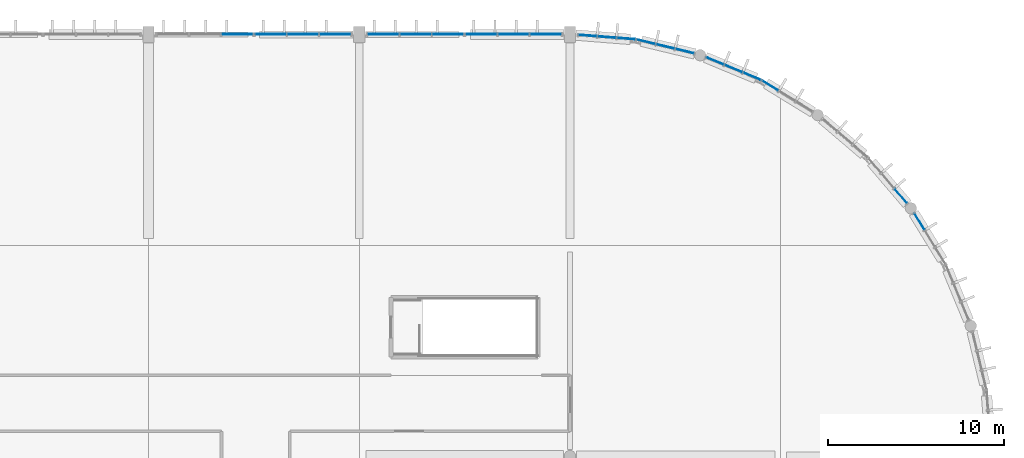
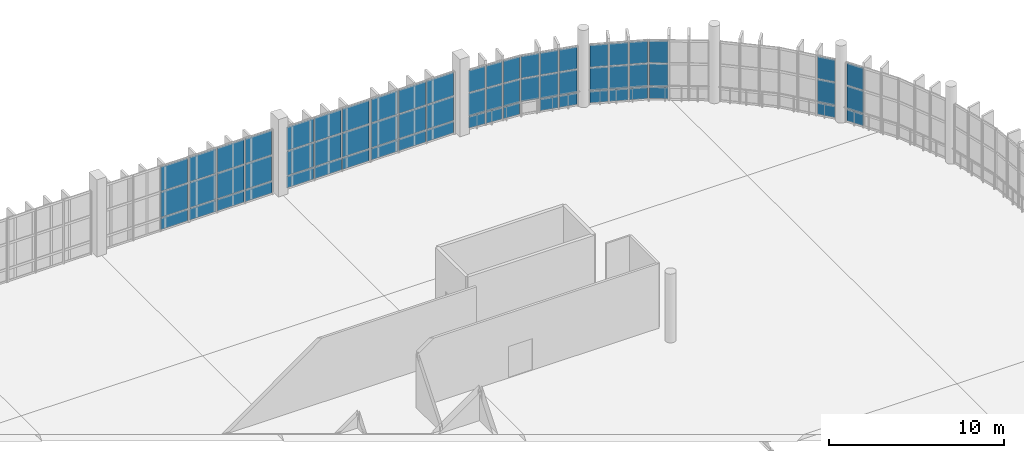
# One storey, part 74 of 112: 65 plates, 10 elements without a shape of their own.
"""IFC4 building model written with IfcOpenShell, lengths in metres."""

from ifc_helpers import new_model, si_unit, direction, frame, origin, origin_2d, place, context, subcontext, project, spatial, rectangle, extrude, material, layer, layer_set, type_object, element, aggregate, save


model = new_model("IFC4")

# Units and contexts
model_context = context("Model", 3, precision=1e-05, world=origin(), true_north=direction((0.0, 1.0)))
body_context = subcontext(model_context, "Body", "Model", "MODEL_VIEW")
ifc_project = project(units=[si_unit("LENGTHUNIT", "METRE"), si_unit("AREAUNIT", "SQUARE_METRE"), si_unit("VOLUMEUNIT", "CUBIC_METRE"), si_unit("PLANEANGLEUNIT", "RADIAN"), si_unit("MASSUNIT", "GRAM", prefix="KILO")], contexts=[model_context])

# Site, building, storey
site_placement = place(None, origin())
site = spatial("IfcSite", under=ifc_project, at=site_placement, CompositionType="ELEMENT")
building_placement = place(site_placement, origin())
building = spatial("IfcBuilding", under=site, at=building_placement, Name="Kamomehara Wholesale Market", CompositionType="ELEMENT")
storey_placement = place(building_placement, frame((0.0, 0.0, 6.60009765625)))
storey = spatial("IfcBuildingStorey", under=building, at=storey_placement, Name="L01", CompositionType="ELEMENT", Elevation=6.60009765625)

# Curtain wall, plates
ifc_material_1 = material(Name="Anodised aluminium 6063-T5", Category="aluminium")
curtain_wall_type_1 = type_object("IfcCurtainWallType", Name="CW-UN-02", PredefinedType="NOTDEFINED", material=ifc_material_1)
curtain_wall_1_placement = place(storey_placement, origin())
curtain_wall_1 = element("IfcCurtainWall", 1, at=curtain_wall_1_placement, inside=storey, type_object=curtain_wall_type_1, Name="Unitised curtain wall CW-089", PredefinedType="NOTDEFINED")
ifc_material_2 = material(Name="Solar-control Low-E double glazing", Category="glass")
ifc_layer_1 = layer(ifc_material_2, 0.028076171875)
ifc_layer_set_1 = layer_set([ifc_layer_1], Name="Solar-control Low-E double glazing")
plate_type_1 = type_object("IfcPlateType", Name="CW-PNL-GLZ", PredefinedType="CURTAIN_PANEL", material=ifc_layer_set_1)
plate_1_placement = place(storey_placement, frame((161.052001953125, 156.02001953125, 0.929443359375), z_axis=(0.0, 0.0, 1.0), x_axis=(1.0, 0.0, 0.0)))
plate_1 = element("IfcPlate", 2, at=plate_1_placement, type_object=plate_type_1, Name="Curtain panel CW-089.2.1", PredefinedType="CURTAIN_PANEL", context=body_context, shape_type="SweptSolid", body=[
    extrude(rectangle(XDim=1.757080078125, YDim=0.028076171875, at=origin_2d()), origin(), (0.0, 0.0, 1.0), 1.7548828125),
])
plate_2_placement = place(storey_placement, frame((161.052001953125, 156.02001953125, 2.7451171875), z_axis=(0.0, 0.0, 1.0), x_axis=(1.0, 0.0, 0.0)))
plate_2 = element("IfcPlate", 3, at=plate_2_placement, type_object=plate_type_1, Name="Curtain panel CW-089.2.2", PredefinedType="CURTAIN_PANEL", context=body_context, shape_type="SweptSolid", body=[
    extrude(rectangle(XDim=1.757080078125, YDim=0.028076171875, at=origin_2d()), origin(), (0.0, 0.0, 1.0), 1.715087890625),
])

curtain_wall_2_placement = place(storey_placement, origin())
curtain_wall_2 = element("IfcCurtainWall", 4, at=curtain_wall_2_placement, inside=storey, type_object=curtain_wall_type_1, Name="Unitised curtain wall CW-090", PredefinedType="NOTDEFINED")
plate_3_placement = place(storey_placement, frame((162.947998046875, 156.02001953125, 0.929443359375), z_axis=(0.0, 0.0, 1.0), x_axis=(1.0, 0.0, 0.0)))
plate_3 = element("IfcPlate", 5, at=plate_3_placement, type_object=plate_type_1, Name="Curtain panel CW-090.0.1", PredefinedType="CURTAIN_PANEL", context=body_context, shape_type="SweptSolid", body=[
    extrude(rectangle(XDim=1.757080078125, YDim=0.028076171875, at=origin_2d()), origin(), (0.0, 0.0, 1.0), 1.7548828125),
])
plate_4_placement = place(storey_placement, frame((162.947998046875, 156.02001953125, 2.7451171875), z_axis=(0.0, 0.0, 1.0), x_axis=(1.0, 0.0, 0.0)))
plate_4 = element("IfcPlate", 6, at=plate_4_placement, type_object=plate_type_1, Name="Curtain panel CW-090.0.2", PredefinedType="CURTAIN_PANEL", context=body_context, shape_type="SweptSolid", body=[
    extrude(rectangle(XDim=1.757080078125, YDim=0.028076171875, at=origin_2d()), origin(), (0.0, 0.0, 1.0), 1.715087890625),
])
plate_5_placement = place(storey_placement, frame((164.784912109375, 156.02001953125, 0.929443359375), z_axis=(0.0, 0.0, 1.0), x_axis=(1.0, 0.0, 0.0)))
plate_5 = element("IfcPlate", 7, at=plate_5_placement, type_object=plate_type_1, Name="Curtain panel CW-090.1.1", PredefinedType="CURTAIN_PANEL", context=body_context, shape_type="SweptSolid", body=[
    extrude(rectangle(XDim=1.757080078125, YDim=0.028076171875, at=origin_2d()), origin(), (0.0, 0.0, 1.0), 1.7548828125),
])
plate_6_placement = place(storey_placement, frame((164.784912109375, 156.02001953125, 2.7451171875), z_axis=(0.0, 0.0, 1.0), x_axis=(1.0, 0.0, 0.0)))
plate_6 = element("IfcPlate", 8, at=plate_6_placement, type_object=plate_type_1, Name="Curtain panel CW-090.1.2", PredefinedType="CURTAIN_PANEL", context=body_context, shape_type="SweptSolid", body=[
    extrude(rectangle(XDim=1.757080078125, YDim=0.028076171875, at=origin_2d()), origin(), (0.0, 0.0, 1.0), 1.715087890625),
])
plate_7_placement = place(storey_placement, frame((166.6220703125, 156.02001953125, 0.929443359375), z_axis=(0.0, 0.0, 1.0), x_axis=(1.0, 0.0, 0.0)))
plate_7 = element("IfcPlate", 9, at=plate_7_placement, type_object=plate_type_1, Name="Curtain panel CW-090.2.1", PredefinedType="CURTAIN_PANEL", context=body_context, shape_type="SweptSolid", body=[
    extrude(rectangle(XDim=1.757080078125, YDim=0.028076171875, at=origin_2d()), origin(), (0.0, 0.0, 1.0), 1.7548828125),
])
plate_8_placement = place(storey_placement, frame((166.6220703125, 156.02001953125, 2.7451171875), z_axis=(0.0, 0.0, 1.0), x_axis=(1.0, 0.0, 0.0)))
plate_8 = element("IfcPlate", 10, at=plate_8_placement, type_object=plate_type_1, Name="Curtain panel CW-090.2.2", PredefinedType="CURTAIN_PANEL", context=body_context, shape_type="SweptSolid", body=[
    extrude(rectangle(XDim=1.757080078125, YDim=0.028076171875, at=origin_2d()), origin(), (0.0, 0.0, 1.0), 1.715087890625),
])

curtain_wall_3_placement = place(storey_placement, origin())
curtain_wall_3 = element("IfcCurtainWall", 11, at=curtain_wall_3_placement, inside=storey, type_object=curtain_wall_type_1, Name="Unitised curtain wall CW-093", PredefinedType="NOTDEFINED")
plate_9_placement = place(storey_placement, frame((169.3779296875, 156.02001953125, 0.93017578125), z_axis=(0.0, 0.0, 1.0), x_axis=(1.0, 0.0, 0.0)))
plate_9 = element("IfcPlate", 12, at=plate_9_placement, type_object=plate_type_1, Name="Curtain panel CW-093.0.1", PredefinedType="CURTAIN_PANEL", context=body_context, shape_type="SweptSolid", body=[
    extrude(rectangle(XDim=1.757080078125, YDim=0.028076171875, at=origin_2d()), origin(), (0.0, 0.0, 1.0), 1.679931640625),
])
plate_10_placement = place(storey_placement, frame((169.3779296875, 156.02001953125, 2.669921875), z_axis=(0.0, 0.0, 1.0), x_axis=(1.0, 0.0, 0.0)))
plate_10 = element("IfcPlate", 13, at=plate_10_placement, type_object=plate_type_1, Name="Curtain panel CW-093.0.2", PredefinedType="CURTAIN_PANEL", context=body_context, shape_type="SweptSolid", body=[
    extrude(rectangle(XDim=1.757080078125, YDim=0.028076171875, at=origin_2d()), origin(), (0.0, 0.0, 1.0), 1.639892578125),
])
plate_11_placement = place(storey_placement, frame((171.215087890625, 156.02001953125, 0.93017578125), z_axis=(0.0, 0.0, 1.0), x_axis=(1.0, 0.0, 0.0)))
plate_11 = element("IfcPlate", 14, at=plate_11_placement, type_object=plate_type_1, Name="Curtain panel CW-093.1.1", PredefinedType="CURTAIN_PANEL", context=body_context, shape_type="SweptSolid", body=[
    extrude(rectangle(XDim=1.757080078125, YDim=0.028076171875, at=origin_2d()), origin(), (0.0, 0.0, 1.0), 1.679931640625),
])
plate_12_placement = place(storey_placement, frame((171.215087890625, 156.02001953125, 2.669921875), z_axis=(0.0, 0.0, 1.0), x_axis=(1.0, 0.0, 0.0)))
plate_12 = element("IfcPlate", 15, at=plate_12_placement, type_object=plate_type_1, Name="Curtain panel CW-093.1.2", PredefinedType="CURTAIN_PANEL", context=body_context, shape_type="SweptSolid", body=[
    extrude(rectangle(XDim=1.757080078125, YDim=0.028076171875, at=origin_2d()), origin(), (0.0, 0.0, 1.0), 1.639892578125),
])
plate_13_placement = place(storey_placement, frame((173.052001953125, 156.02001953125, 0.93017578125), z_axis=(0.0, 0.0, 1.0), x_axis=(1.0, 0.0, 0.0)))
plate_13 = element("IfcPlate", 16, at=plate_13_placement, type_object=plate_type_1, Name="Curtain panel CW-093.2.1", PredefinedType="CURTAIN_PANEL", context=body_context, shape_type="SweptSolid", body=[
    extrude(rectangle(XDim=1.757080078125, YDim=0.028076171875, at=origin_2d()), origin(), (0.0, 0.0, 1.0), 1.679931640625),
])
plate_14_placement = place(storey_placement, frame((173.052001953125, 156.02001953125, 2.669921875), z_axis=(0.0, 0.0, 1.0), x_axis=(1.0, 0.0, 0.0)))
plate_14 = element("IfcPlate", 17, at=plate_14_placement, type_object=plate_type_1, Name="Curtain panel CW-093.2.2", PredefinedType="CURTAIN_PANEL", context=body_context, shape_type="SweptSolid", body=[
    extrude(rectangle(XDim=1.757080078125, YDim=0.028076171875, at=origin_2d()), origin(), (0.0, 0.0, 1.0), 1.639892578125),
])

curtain_wall_4_placement = place(storey_placement, origin())
curtain_wall_4 = element("IfcCurtainWall", 18, at=curtain_wall_4_placement, inside=storey, type_object=curtain_wall_type_1, Name="Unitised curtain wall CW-094", PredefinedType="NOTDEFINED")
plate_15_placement = place(storey_placement, frame((174.947998046875, 156.02001953125, 0.93017578125), z_axis=(0.0, 0.0, 1.0), x_axis=(1.0, 0.0, 0.0)))
plate_15 = element("IfcPlate", 19, at=plate_15_placement, type_object=plate_type_1, Name="Curtain panel CW-094.0.1", PredefinedType="CURTAIN_PANEL", context=body_context, shape_type="SweptSolid", body=[
    extrude(rectangle(XDim=1.757080078125, YDim=0.028076171875, at=origin_2d()), origin(), (0.0, 0.0, 1.0), 1.679931640625),
])
plate_16_placement = place(storey_placement, frame((174.947998046875, 156.02001953125, 2.669921875), z_axis=(0.0, 0.0, 1.0), x_axis=(1.0, 0.0, 0.0)))
plate_16 = element("IfcPlate", 20, at=plate_16_placement, type_object=plate_type_1, Name="Curtain panel CW-094.0.2", PredefinedType="CURTAIN_PANEL", context=body_context, shape_type="SweptSolid", body=[
    extrude(rectangle(XDim=1.757080078125, YDim=0.028076171875, at=origin_2d()), origin(), (0.0, 0.0, 1.0), 1.639892578125),
])
plate_17_placement = place(storey_placement, frame((176.784912109375, 156.02001953125, 0.93017578125), z_axis=(0.0, 0.0, 1.0), x_axis=(1.0, 0.0, 0.0)))
plate_17 = element("IfcPlate", 21, at=plate_17_placement, type_object=plate_type_1, Name="Curtain panel CW-094.1.1", PredefinedType="CURTAIN_PANEL", context=body_context, shape_type="SweptSolid", body=[
    extrude(rectangle(XDim=1.757080078125, YDim=0.028076171875, at=origin_2d()), origin(), (0.0, 0.0, 1.0), 1.679931640625),
])
plate_18_placement = place(storey_placement, frame((176.784912109375, 156.02001953125, 2.669921875), z_axis=(0.0, 0.0, 1.0), x_axis=(1.0, 0.0, 0.0)))
plate_18 = element("IfcPlate", 22, at=plate_18_placement, type_object=plate_type_1, Name="Curtain panel CW-094.1.2", PredefinedType="CURTAIN_PANEL", context=body_context, shape_type="SweptSolid", body=[
    extrude(rectangle(XDim=1.757080078125, YDim=0.028076171875, at=origin_2d()), origin(), (0.0, 0.0, 1.0), 1.639892578125),
])
plate_19_placement = place(storey_placement, frame((178.6220703125, 156.02001953125, 0.93017578125), z_axis=(0.0, 0.0, 1.0), x_axis=(1.0, 0.0, 0.0)))
plate_19 = element("IfcPlate", 23, at=plate_19_placement, type_object=plate_type_1, Name="Curtain panel CW-094.2.1", PredefinedType="CURTAIN_PANEL", context=body_context, shape_type="SweptSolid", body=[
    extrude(rectangle(XDim=1.757080078125, YDim=0.028076171875, at=origin_2d()), origin(), (0.0, 0.0, 1.0), 1.679931640625),
])
plate_20_placement = place(storey_placement, frame((178.6220703125, 156.02001953125, 2.669921875), z_axis=(0.0, 0.0, 1.0), x_axis=(1.0, 0.0, 0.0)))
plate_20 = element("IfcPlate", 24, at=plate_20_placement, type_object=plate_type_1, Name="Curtain panel CW-094.2.2", PredefinedType="CURTAIN_PANEL", context=body_context, shape_type="SweptSolid", body=[
    extrude(rectangle(XDim=1.757080078125, YDim=0.028076171875, at=origin_2d()), origin(), (0.0, 0.0, 1.0), 1.639892578125),
])

ifc_material_3 = material(Name="Anodised aluminium 6063-T5", Category="aluminium")
curtain_wall_type_2 = type_object("IfcCurtainWallType", Name="CW-UN-05", PredefinedType="NOTDEFINED", material=ifc_material_3)
curtain_wall_5_placement = place(storey_placement, origin())
curtain_wall_5 = element("IfcCurtainWall", 25, at=curtain_wall_5_placement, inside=storey, type_object=curtain_wall_type_2, Name="Unitised curtain wall CW-097", PredefinedType="NOTDEFINED")
plate_21_placement = place(storey_placement, frame((181.008056640625, 155.94091796875, 0.929931640625), z_axis=(0.0, 0.0, 1.0), x_axis=(0.99692964576, -0.078302499352, 0.0)))
plate_21 = element("IfcPlate", 26, at=plate_21_placement, type_object=plate_type_1, Name="Curtain panel CW-097.0.1", PredefinedType="CURTAIN_PANEL", context=body_context, shape_type="SweptSolid", body=[
    extrude(rectangle(XDim=1.01806640625, YDim=0.028076171875, at=origin_2d()), origin(), (0.0, 0.0, 1.0), 1.580078125),
])
plate_22_placement = place(storey_placement, frame((181.008056640625, 155.94091796875, 2.56982421875), z_axis=(0.0, 0.0, 1.0), x_axis=(0.99692964576, -0.078302499352, 0.0)))
plate_22 = element("IfcPlate", 27, at=plate_22_placement, type_object=plate_type_1, Name="Curtain panel CW-097.0.2", PredefinedType="CURTAIN_PANEL", context=body_context, shape_type="SweptSolid", body=[
    extrude(rectangle(XDim=1.01806640625, YDim=0.028076171875, at=origin_2d()), origin(), (0.0, 0.0, 1.0), 1.5400390625),
])
plate_23_placement = place(storey_placement, frame((182.10302734375, 155.85498046875, 0.929931640625), z_axis=(0.0, 0.0, 1.0), x_axis=(0.99692964576, -0.078302499352, 0.0)))
plate_23 = element("IfcPlate", 28, at=plate_23_placement, type_object=plate_type_1, Name="Curtain panel CW-097.1.1", PredefinedType="CURTAIN_PANEL", context=body_context, shape_type="SweptSolid", body=[
    extrude(rectangle(XDim=1.01806640625, YDim=0.028076171875, at=origin_2d()), origin(), (0.0, 0.0, 1.0), 1.580078125),
])
plate_24_placement = place(storey_placement, frame((182.10302734375, 155.85498046875, 2.56982421875), z_axis=(0.0, 0.0, 1.0), x_axis=(0.99692964576, -0.078302499352, 0.0)))
plate_24 = element("IfcPlate", 29, at=plate_24_placement, type_object=plate_type_1, Name="Curtain panel CW-097.1.2", PredefinedType="CURTAIN_PANEL", context=body_context, shape_type="SweptSolid", body=[
    extrude(rectangle(XDim=1.01806640625, YDim=0.028076171875, at=origin_2d()), origin(), (0.0, 0.0, 1.0), 1.5400390625),
])
plate_25_placement = place(storey_placement, frame((183.197998046875, 155.76904296875, 0.929931640625), z_axis=(0.0, 0.0, 1.0), x_axis=(0.99692964576, -0.078302499352, 0.0)))
plate_25 = element("IfcPlate", 30, at=plate_25_placement, type_object=plate_type_1, Name="Curtain panel CW-097.2.1", PredefinedType="CURTAIN_PANEL", context=body_context, shape_type="SweptSolid", body=[
    extrude(rectangle(XDim=1.01806640625, YDim=0.028076171875, at=origin_2d()), origin(), (0.0, 0.0, 1.0), 1.580078125),
])
plate_26_placement = place(storey_placement, frame((183.197998046875, 155.76904296875, 2.56982421875), z_axis=(0.0, 0.0, 1.0), x_axis=(0.99692964576, -0.078302499352, 0.0)))
plate_26 = element("IfcPlate", 31, at=plate_26_placement, type_object=plate_type_1, Name="Curtain panel CW-097.2.2", PredefinedType="CURTAIN_PANEL", context=body_context, shape_type="SweptSolid", body=[
    extrude(rectangle(XDim=1.01806640625, YDim=0.028076171875, at=origin_2d()), origin(), (0.0, 0.0, 1.0), 1.5400390625),
])

curtain_wall_6_placement = place(storey_placement, origin())
curtain_wall_6 = element("IfcCurtainWall", 32, at=curtain_wall_6_placement, inside=storey, type_object=curtain_wall_type_2, Name="Unitised curtain wall CW-098", PredefinedType="NOTDEFINED")
plate_27_placement = place(storey_placement, frame((184.322998046875, 155.589111328125, 0.929931640625), z_axis=(0.0, 0.0, 1.0), x_axis=(0.972272049729, -0.233852648724, 0.0)))
plate_27 = element("IfcPlate", 33, at=plate_27_placement, type_object=plate_type_1, Name="Curtain panel CW-098.0.1", PredefinedType="CURTAIN_PANEL", context=body_context, shape_type="SweptSolid", body=[
    extrude(rectangle(XDim=1.06005859375, YDim=0.028076171875, at=origin_2d()), origin(), (0.0, 0.0, 1.0), 1.580078125),
])
plate_28_placement = place(storey_placement, frame((184.322998046875, 155.589111328125, 2.56982421875), z_axis=(0.0, 0.0, 1.0), x_axis=(0.972272049729, -0.233852648724, 0.0)))
plate_28 = element("IfcPlate", 34, at=plate_28_placement, type_object=plate_type_1, Name="Curtain panel CW-098.0.2", PredefinedType="CURTAIN_PANEL", context=body_context, shape_type="SweptSolid", body=[
    extrude(rectangle(XDim=1.06005859375, YDim=0.028076171875, at=origin_2d()), origin(), (0.0, 0.0, 1.0), 1.5400390625),
])
plate_29_placement = place(storey_placement, frame((185.431884765625, 155.322021484375, 0.929931640625), z_axis=(0.0, 0.0, 1.0), x_axis=(0.972272049729, -0.233852648724, 0.0)))
plate_29 = element("IfcPlate", 35, at=plate_29_placement, type_object=plate_type_1, Name="Curtain panel CW-098.1.1", PredefinedType="CURTAIN_PANEL", context=body_context, shape_type="SweptSolid", body=[
    extrude(rectangle(XDim=1.06005859375, YDim=0.028076171875, at=origin_2d()), origin(), (0.0, 0.0, 1.0), 1.580078125),
])
plate_30_placement = place(storey_placement, frame((185.431884765625, 155.322021484375, 2.56982421875), z_axis=(0.0, 0.0, 1.0), x_axis=(0.972272049729, -0.233852648724, 0.0)))
plate_30 = element("IfcPlate", 36, at=plate_30_placement, type_object=plate_type_1, Name="Curtain panel CW-098.1.2", PredefinedType="CURTAIN_PANEL", context=body_context, shape_type="SweptSolid", body=[
    extrude(rectangle(XDim=1.06005859375, YDim=0.028076171875, at=origin_2d()), origin(), (0.0, 0.0, 1.0), 1.5400390625),
])
plate_31_placement = place(storey_placement, frame((186.5400390625, 155.055908203125, 0.929931640625), z_axis=(0.0, 0.0, 1.0), x_axis=(0.972272049729, -0.233852648724, 0.0)))
plate_31 = element("IfcPlate", 37, at=plate_31_placement, type_object=plate_type_1, Name="Curtain panel CW-098.2.1", PredefinedType="CURTAIN_PANEL", context=body_context, shape_type="SweptSolid", body=[
    extrude(rectangle(XDim=1.06005859375, YDim=0.028076171875, at=origin_2d()), origin(), (0.0, 0.0, 1.0), 1.580078125),
])
plate_32_placement = place(storey_placement, frame((186.5400390625, 155.055908203125, 2.56982421875), z_axis=(0.0, 0.0, 1.0), x_axis=(0.972272049729, -0.233852648724, 0.0)))
plate_32 = element("IfcPlate", 38, at=plate_32_placement, type_object=plate_type_1, Name="Curtain panel CW-098.2.2", PredefinedType="CURTAIN_PANEL", context=body_context, shape_type="SweptSolid", body=[
    extrude(rectangle(XDim=1.06005859375, YDim=0.028076171875, at=origin_2d()), origin(), (0.0, 0.0, 1.0), 1.5400390625),
])

curtain_wall_7_placement = place(storey_placement, origin())
curtain_wall_7 = element("IfcCurtainWall", 39, at=curtain_wall_7_placement, inside=storey, type_object=curtain_wall_type_2, Name="Unitised curtain wall CW-099", PredefinedType="NOTDEFINED")
plate_33_placement = place(storey_placement, frame((188.260009765625, 154.4970703125, 0.929931640625), z_axis=(0.0, 0.0, 1.0), x_axis=(0.923912924423, -0.382602807209, 0.0)))
plate_33 = element("IfcPlate", 40, at=plate_33_placement, type_object=plate_type_1, Name="Curtain panel CW-099.0.1", PredefinedType="CURTAIN_PANEL", context=body_context, shape_type="SweptSolid", body=[
    extrude(rectangle(XDim=1.06005859375, YDim=0.028076171875, at=origin_2d()), origin(), (0.0, 0.0, 1.0), 1.580078125),
])
plate_34_placement = place(storey_placement, frame((188.260009765625, 154.4970703125, 2.56982421875), z_axis=(0.0, 0.0, 1.0), x_axis=(0.923912924423, -0.382602807209, 0.0)))
plate_34 = element("IfcPlate", 41, at=plate_34_placement, type_object=plate_type_1, Name="Curtain panel CW-099.0.2", PredefinedType="CURTAIN_PANEL", context=body_context, shape_type="SweptSolid", body=[
    extrude(rectangle(XDim=1.06005859375, YDim=0.028076171875, at=origin_2d()), origin(), (0.0, 0.0, 1.0), 1.5400390625),
])
plate_35_placement = place(storey_placement, frame((189.31396484375, 154.06103515625, 0.929931640625), z_axis=(0.0, 0.0, 1.0), x_axis=(0.923912924423, -0.382602807209, 0.0)))
plate_35 = element("IfcPlate", 42, at=plate_35_placement, type_object=plate_type_1, Name="Curtain panel CW-099.1.1", PredefinedType="CURTAIN_PANEL", context=body_context, shape_type="SweptSolid", body=[
    extrude(rectangle(XDim=1.06005859375, YDim=0.028076171875, at=origin_2d()), origin(), (0.0, 0.0, 1.0), 1.580078125),
])
plate_36_placement = place(storey_placement, frame((189.31396484375, 154.06103515625, 2.56982421875), z_axis=(0.0, 0.0, 1.0), x_axis=(0.923912924423, -0.382602807209, 0.0)))
plate_36 = element("IfcPlate", 43, at=plate_36_placement, type_object=plate_type_1, Name="Curtain panel CW-099.1.2", PredefinedType="CURTAIN_PANEL", context=body_context, shape_type="SweptSolid", body=[
    extrude(rectangle(XDim=1.06005859375, YDim=0.028076171875, at=origin_2d()), origin(), (0.0, 0.0, 1.0), 1.5400390625),
])
plate_37_placement = place(storey_placement, frame((190.367919921875, 153.625, 0.929931640625), z_axis=(0.0, 0.0, 1.0), x_axis=(0.923912924423, -0.382602807209, 0.0)))
plate_37 = element("IfcPlate", 44, at=plate_37_placement, type_object=plate_type_1, Name="Curtain panel CW-099.2.1", PredefinedType="CURTAIN_PANEL", context=body_context, shape_type="SweptSolid", body=[
    extrude(rectangle(XDim=1.06005859375, YDim=0.028076171875, at=origin_2d()), origin(), (0.0, 0.0, 1.0), 1.580078125),
])
plate_38_placement = place(storey_placement, frame((190.367919921875, 153.625, 2.56982421875), z_axis=(0.0, 0.0, 1.0), x_axis=(0.923912924423, -0.382602807209, 0.0)))
plate_38 = element("IfcPlate", 45, at=plate_38_placement, type_object=plate_type_1, Name="Curtain panel CW-099.2.2", PredefinedType="CURTAIN_PANEL", context=body_context, shape_type="SweptSolid", body=[
    extrude(rectangle(XDim=1.06005859375, YDim=0.028076171875, at=origin_2d()), origin(), (0.0, 0.0, 1.0), 1.5400390625),
])

curtain_wall_8_placement = place(storey_placement, origin())
curtain_wall_8 = element("IfcCurtainWall", 46, at=curtain_wall_8_placement, inside=storey, type_object=curtain_wall_type_2, Name="Unitised curtain wall CW-100", PredefinedType="NOTDEFINED")
plate_39_placement = place(storey_placement, frame((191.40087890625, 153.097900390625, 0.929931640625), z_axis=(0.0, 0.0, 1.0), x_axis=(0.852503345332, -0.522721767481, 0.0)))
plate_39 = element("IfcPlate", 47, at=plate_39_placement, type_object=plate_type_1, Name="Curtain panel CW-100.0.1", PredefinedType="CURTAIN_PANEL", context=body_context, shape_type="SweptSolid", body=[
    extrude(rectangle(XDim=1.06005859375, YDim=0.028076171875, at=origin_2d()), origin(), (0.0, 0.0, 1.0), 1.580078125),
])
plate_40_placement = place(storey_placement, frame((191.40087890625, 153.097900390625, 2.56982421875), z_axis=(0.0, 0.0, 1.0), x_axis=(0.852503345332, -0.522721767481, 0.0)))
plate_40 = element("IfcPlate", 48, at=plate_40_placement, type_object=plate_type_1, Name="Curtain panel CW-100.0.2", PredefinedType="CURTAIN_PANEL", context=body_context, shape_type="SweptSolid", body=[
    extrude(rectangle(XDim=1.06005859375, YDim=0.028076171875, at=origin_2d()), origin(), (0.0, 0.0, 1.0), 1.5400390625),
])

curtain_wall_9_placement = place(storey_placement, origin())
curtain_wall_9 = element("IfcCurtainWall", 49, at=curtain_wall_9_placement, inside=storey, type_object=curtain_wall_type_2, Name="Unitised curtain wall CW-102", PredefinedType="NOTDEFINED")
plate_41_placement = place(storey_placement, frame((198.843017578125, 146.80810546875, 0.929931640625), z_axis=(0.0, 0.0, 1.0), x_axis=(0.649368415243, -0.760473971471, 0.0)))
plate_41 = element("IfcPlate", 50, at=plate_41_placement, type_object=plate_type_1, Name="Curtain panel CW-102.2.1", PredefinedType="CURTAIN_PANEL", context=body_context, shape_type="SweptSolid", body=[
    extrude(rectangle(XDim=1.06005859375, YDim=0.028076171875, at=origin_2d()), origin(), (0.0, 0.0, 1.0), 1.580078125),
])
plate_42_placement = place(storey_placement, frame((198.843017578125, 146.80810546875, 2.56982421875), z_axis=(0.0, 0.0, 1.0), x_axis=(0.649368415243, -0.760473971471, 0.0)))
plate_42 = element("IfcPlate", 51, at=plate_42_placement, type_object=plate_type_1, Name="Curtain panel CW-102.2.2", PredefinedType="CURTAIN_PANEL", context=body_context, shape_type="SweptSolid", body=[
    extrude(rectangle(XDim=1.06005859375, YDim=0.028076171875, at=origin_2d()), origin(), (0.0, 0.0, 1.0), 1.5400390625),
])

curtain_wall_10_placement = place(storey_placement, origin())
curtain_wall_10 = element("IfcCurtainWall", 52, at=curtain_wall_10_placement, inside=storey, type_object=curtain_wall_type_2, Name="Unitised curtain wall CW-103", PredefinedType="NOTDEFINED")
plate_43_placement = place(storey_placement, frame((199.906005859375, 145.344970703125, 0.929931640625), z_axis=(0.0, 0.0, 1.0), x_axis=(0.522721767481, -0.852503345332, 0.0)))
plate_43 = element("IfcPlate", 53, at=plate_43_placement, type_object=plate_type_1, Name="Curtain panel CW-103.0.1", PredefinedType="CURTAIN_PANEL", context=body_context, shape_type="SweptSolid", body=[
    extrude(rectangle(XDim=1.06005859375, YDim=0.028076171875, at=origin_2d()), origin(), (0.0, 0.0, 1.0), 1.580078125),
])
plate_44_placement = place(storey_placement, frame((199.906005859375, 145.344970703125, 2.56982421875), z_axis=(0.0, 0.0, 1.0), x_axis=(0.522721767481, -0.852503345332, 0.0)))
plate_44 = element("IfcPlate", 54, at=plate_44_placement, type_object=plate_type_1, Name="Curtain panel CW-103.0.2", PredefinedType="CURTAIN_PANEL", context=body_context, shape_type="SweptSolid", body=[
    extrude(rectangle(XDim=1.06005859375, YDim=0.028076171875, at=origin_2d()), origin(), (0.0, 0.0, 1.0), 1.5400390625),
])

# Plate
ifc_material_4 = material(Name="Insulated aluminium spandrel panel", Category="aluminium")
ifc_layer_2 = layer(ifc_material_4, 0.0400390625)
ifc_layer_set_2 = layer_set([ifc_layer_2], Name="Insulated aluminium spandrel panel")
plate_type_2 = type_object("IfcPlateType", Name="CW-PNL-SPN", PredefinedType="CURTAIN_PANEL", material=ifc_layer_set_2)
plate_45_placement = place(storey_placement, frame((161.052001953125, 156.02001953125, 0.06982421875), z_axis=(0.0, 0.0, 1.0), x_axis=(1.0, 0.0, 0.0)))
plate_45 = element("IfcPlate", 55, at=plate_45_placement, type_object=plate_type_2, Name="Curtain panel CW-089.2.0", PredefinedType="CURTAIN_PANEL", context=body_context, shape_type="SweptSolid", body=[
    extrude(rectangle(XDim=1.757080078125, YDim=0.0400390625, at=origin_2d()), origin(), (0.0, 0.0, 1.0), 0.800048828125),
])

aggregate(curtain_wall_1, [plate_45, plate_1, plate_2])

plate_46_placement = place(storey_placement, frame((162.947998046875, 156.02001953125, 0.06982421875), z_axis=(0.0, 0.0, 1.0), x_axis=(1.0, 0.0, 0.0)))
plate_46 = element("IfcPlate", 56, at=plate_46_placement, type_object=plate_type_2, Name="Curtain panel CW-090.0.0", PredefinedType="CURTAIN_PANEL", context=body_context, shape_type="SweptSolid", body=[
    extrude(rectangle(XDim=1.757080078125, YDim=0.0400390625, at=origin_2d()), origin(), (0.0, 0.0, 1.0), 0.800048828125),
])

plate_47_placement = place(storey_placement, frame((164.784912109375, 156.02001953125, 0.06982421875), z_axis=(0.0, 0.0, 1.0), x_axis=(1.0, 0.0, 0.0)))
plate_47 = element("IfcPlate", 57, at=plate_47_placement, type_object=plate_type_2, Name="Curtain panel CW-090.1.0", PredefinedType="CURTAIN_PANEL", context=body_context, shape_type="SweptSolid", body=[
    extrude(rectangle(XDim=1.757080078125, YDim=0.0400390625, at=origin_2d()), origin(), (0.0, 0.0, 1.0), 0.800048828125),
])

plate_48_placement = place(storey_placement, frame((166.6220703125, 156.02001953125, 0.06982421875), z_axis=(0.0, 0.0, 1.0), x_axis=(1.0, 0.0, 0.0)))
plate_48 = element("IfcPlate", 58, at=plate_48_placement, type_object=plate_type_2, Name="Curtain panel CW-090.2.0", PredefinedType="CURTAIN_PANEL", context=body_context, shape_type="SweptSolid", body=[
    extrude(rectangle(XDim=1.757080078125, YDim=0.0400390625, at=origin_2d()), origin(), (0.0, 0.0, 1.0), 0.800048828125),
])

aggregate(curtain_wall_2, [plate_46, plate_3, plate_4, plate_47, plate_5, plate_6, plate_48, plate_7, plate_8])

plate_49_placement = place(storey_placement, frame((169.3779296875, 156.02001953125, 0.06982421875), z_axis=(0.0, 0.0, 1.0), x_axis=(1.0, 0.0, 0.0)))
plate_49 = element("IfcPlate", 59, at=plate_49_placement, type_object=plate_type_2, Name="Curtain panel CW-093.0.0", PredefinedType="CURTAIN_PANEL", context=body_context, shape_type="SweptSolid", body=[
    extrude(rectangle(XDim=1.757080078125, YDim=0.0400390625, at=origin_2d()), origin(), (0.0, 0.0, 1.0), 0.800048828125),
])

plate_50_placement = place(storey_placement, frame((171.215087890625, 156.02001953125, 0.06982421875), z_axis=(0.0, 0.0, 1.0), x_axis=(1.0, 0.0, 0.0)))
plate_50 = element("IfcPlate", 60, at=plate_50_placement, type_object=plate_type_2, Name="Curtain panel CW-093.1.0", PredefinedType="CURTAIN_PANEL", context=body_context, shape_type="SweptSolid", body=[
    extrude(rectangle(XDim=1.757080078125, YDim=0.0400390625, at=origin_2d()), origin(), (0.0, 0.0, 1.0), 0.800048828125),
])

plate_51_placement = place(storey_placement, frame((173.052001953125, 156.02001953125, 0.06982421875), z_axis=(0.0, 0.0, 1.0), x_axis=(1.0, 0.0, 0.0)))
plate_51 = element("IfcPlate", 61, at=plate_51_placement, type_object=plate_type_2, Name="Curtain panel CW-093.2.0", PredefinedType="CURTAIN_PANEL", context=body_context, shape_type="SweptSolid", body=[
    extrude(rectangle(XDim=1.757080078125, YDim=0.0400390625, at=origin_2d()), origin(), (0.0, 0.0, 1.0), 0.800048828125),
])

aggregate(curtain_wall_3, [plate_49, plate_9, plate_10, plate_50, plate_11, plate_12, plate_51, plate_13, plate_14])

plate_52_placement = place(storey_placement, frame((174.947998046875, 156.02001953125, 0.06982421875), z_axis=(0.0, 0.0, 1.0), x_axis=(1.0, 0.0, 0.0)))
plate_52 = element("IfcPlate", 62, at=plate_52_placement, type_object=plate_type_2, Name="Curtain panel CW-094.0.0", PredefinedType="CURTAIN_PANEL", context=body_context, shape_type="SweptSolid", body=[
    extrude(rectangle(XDim=1.757080078125, YDim=0.0400390625, at=origin_2d()), origin(), (0.0, 0.0, 1.0), 0.800048828125),
])

plate_53_placement = place(storey_placement, frame((176.784912109375, 156.02001953125, 0.06982421875), z_axis=(0.0, 0.0, 1.0), x_axis=(1.0, 0.0, 0.0)))
plate_53 = element("IfcPlate", 63, at=plate_53_placement, type_object=plate_type_2, Name="Curtain panel CW-094.1.0", PredefinedType="CURTAIN_PANEL", context=body_context, shape_type="SweptSolid", body=[
    extrude(rectangle(XDim=1.757080078125, YDim=0.0400390625, at=origin_2d()), origin(), (0.0, 0.0, 1.0), 0.800048828125),
])

plate_54_placement = place(storey_placement, frame((178.6220703125, 156.02001953125, 0.06982421875), z_axis=(0.0, 0.0, 1.0), x_axis=(1.0, 0.0, 0.0)))
plate_54 = element("IfcPlate", 64, at=plate_54_placement, type_object=plate_type_2, Name="Curtain panel CW-094.2.0", PredefinedType="CURTAIN_PANEL", context=body_context, shape_type="SweptSolid", body=[
    extrude(rectangle(XDim=1.757080078125, YDim=0.0400390625, at=origin_2d()), origin(), (0.0, 0.0, 1.0), 0.800048828125),
])

aggregate(curtain_wall_4, [plate_52, plate_15, plate_16, plate_53, plate_17, plate_18, plate_54, plate_19, plate_20])

plate_55_placement = place(storey_placement, frame((181.008056640625, 155.94091796875, 0.06982421875), z_axis=(0.0, 0.0, 1.0), x_axis=(0.99692964576, -0.078302499352, 0.0)))
plate_55 = element("IfcPlate", 65, at=plate_55_placement, type_object=plate_type_2, Name="Curtain panel CW-097.0.0", PredefinedType="CURTAIN_PANEL", context=body_context, shape_type="SweptSolid", body=[
    extrude(rectangle(XDim=1.01806640625, YDim=0.0400390625, at=origin_2d()), origin(), (0.0, 0.0, 1.0), 0.800048828125),
])

plate_56_placement = place(storey_placement, frame((182.10302734375, 155.85498046875, 0.06982421875), z_axis=(0.0, 0.0, 1.0), x_axis=(0.99692964576, -0.078302499352, 0.0)))
plate_56 = element("IfcPlate", 66, at=plate_56_placement, type_object=plate_type_2, Name="Curtain panel CW-097.1.0", PredefinedType="CURTAIN_PANEL", context=body_context, shape_type="SweptSolid", body=[
    extrude(rectangle(XDim=1.01806640625, YDim=0.0400390625, at=origin_2d()), origin(), (0.0, 0.0, 1.0), 0.800048828125),
])

plate_57_placement = place(storey_placement, frame((183.197998046875, 155.76904296875, 0.06982421875), z_axis=(0.0, 0.0, 1.0), x_axis=(0.99692964576, -0.078302499352, 0.0)))
plate_57 = element("IfcPlate", 67, at=plate_57_placement, type_object=plate_type_2, Name="Curtain panel CW-097.2.0", PredefinedType="CURTAIN_PANEL", context=body_context, shape_type="SweptSolid", body=[
    extrude(rectangle(XDim=1.01806640625, YDim=0.0400390625, at=origin_2d()), origin(), (0.0, 0.0, 1.0), 0.800048828125),
])

aggregate(curtain_wall_5, [plate_55, plate_21, plate_22, plate_56, plate_23, plate_24, plate_57, plate_25, plate_26])

plate_58_placement = place(storey_placement, frame((185.431884765625, 155.322021484375, 0.06982421875), z_axis=(0.0, 0.0, 1.0), x_axis=(0.972272049729, -0.233852648724, 0.0)))
plate_58 = element("IfcPlate", 68, at=plate_58_placement, type_object=plate_type_2, Name="Curtain panel CW-098.1.0", PredefinedType="CURTAIN_PANEL", context=body_context, shape_type="SweptSolid", body=[
    extrude(rectangle(XDim=1.06005859375, YDim=0.0400390625, at=origin_2d()), origin(), (0.0, 0.0, 1.0), 0.800048828125),
])

plate_59_placement = place(storey_placement, frame((186.5400390625, 155.055908203125, 0.06982421875), z_axis=(0.0, 0.0, 1.0), x_axis=(0.972272049729, -0.233852648724, 0.0)))
plate_59 = element("IfcPlate", 69, at=plate_59_placement, type_object=plate_type_2, Name="Curtain panel CW-098.2.0", PredefinedType="CURTAIN_PANEL", context=body_context, shape_type="SweptSolid", body=[
    extrude(rectangle(XDim=1.06005859375, YDim=0.0400390625, at=origin_2d()), origin(), (0.0, 0.0, 1.0), 0.800048828125),
])

aggregate(curtain_wall_6, [plate_27, plate_28, plate_58, plate_29, plate_30, plate_59, plate_31, plate_32])

plate_60_placement = place(storey_placement, frame((188.260009765625, 154.4970703125, 0.06982421875), z_axis=(0.0, 0.0, 1.0), x_axis=(0.923912924423, -0.382602807209, 0.0)))
plate_60 = element("IfcPlate", 70, at=plate_60_placement, type_object=plate_type_2, Name="Curtain panel CW-099.0.0", PredefinedType="CURTAIN_PANEL", context=body_context, shape_type="SweptSolid", body=[
    extrude(rectangle(XDim=1.06005859375, YDim=0.0400390625, at=origin_2d()), origin(), (0.0, 0.0, 1.0), 0.800048828125),
])

plate_61_placement = place(storey_placement, frame((189.31396484375, 154.06103515625, 0.06982421875), z_axis=(0.0, 0.0, 1.0), x_axis=(0.923912924423, -0.382602807209, 0.0)))
plate_61 = element("IfcPlate", 71, at=plate_61_placement, type_object=plate_type_2, Name="Curtain panel CW-099.1.0", PredefinedType="CURTAIN_PANEL", context=body_context, shape_type="SweptSolid", body=[
    extrude(rectangle(XDim=1.06005859375, YDim=0.0400390625, at=origin_2d()), origin(), (0.0, 0.0, 1.0), 0.800048828125),
])

plate_62_placement = place(storey_placement, frame((190.367919921875, 153.625, 0.06982421875), z_axis=(0.0, 0.0, 1.0), x_axis=(0.923912924423, -0.382602807209, 0.0)))
plate_62 = element("IfcPlate", 72, at=plate_62_placement, type_object=plate_type_2, Name="Curtain panel CW-099.2.0", PredefinedType="CURTAIN_PANEL", context=body_context, shape_type="SweptSolid", body=[
    extrude(rectangle(XDim=1.06005859375, YDim=0.0400390625, at=origin_2d()), origin(), (0.0, 0.0, 1.0), 0.800048828125),
])

aggregate(curtain_wall_7, [plate_60, plate_33, plate_34, plate_61, plate_35, plate_36, plate_62, plate_37, plate_38])

plate_63_placement = place(storey_placement, frame((191.40087890625, 153.097900390625, 0.06982421875), z_axis=(0.0, 0.0, 1.0), x_axis=(0.852503345332, -0.522721767481, 0.0)))
plate_63 = element("IfcPlate", 73, at=plate_63_placement, type_object=plate_type_2, Name="Curtain panel CW-100.0.0", PredefinedType="CURTAIN_PANEL", context=body_context, shape_type="SweptSolid", body=[
    extrude(rectangle(XDim=1.06005859375, YDim=0.0400390625, at=origin_2d()), origin(), (0.0, 0.0, 1.0), 0.800048828125),
])

aggregate(curtain_wall_8, [plate_63, plate_39, plate_40])

plate_64_placement = place(storey_placement, frame((198.843017578125, 146.80810546875, 0.06982421875), z_axis=(0.0, 0.0, 1.0), x_axis=(0.649368415243, -0.760473971471, 0.0)))
plate_64 = element("IfcPlate", 74, at=plate_64_placement, type_object=plate_type_2, Name="Curtain panel CW-102.2.0", PredefinedType="CURTAIN_PANEL", context=body_context, shape_type="SweptSolid", body=[
    extrude(rectangle(XDim=1.06005859375, YDim=0.0400390625, at=origin_2d()), origin(), (0.0, 0.0, 1.0), 0.800048828125),
])

aggregate(curtain_wall_9, [plate_64, plate_41, plate_42])

plate_65_placement = place(storey_placement, frame((199.906005859375, 145.344970703125, 0.06982421875), z_axis=(0.0, 0.0, 1.0), x_axis=(0.522721767481, -0.852503345332, 0.0)))
plate_65 = element("IfcPlate", 75, at=plate_65_placement, type_object=plate_type_2, Name="Curtain panel CW-103.0.0", PredefinedType="CURTAIN_PANEL", context=body_context, shape_type="SweptSolid", body=[
    extrude(rectangle(XDim=1.06005859375, YDim=0.0400390625, at=origin_2d()), origin(), (0.0, 0.0, 1.0), 0.800048828125),
])

aggregate(curtain_wall_10, [plate_65, plate_43, plate_44])

save(model, "model.ifc")
